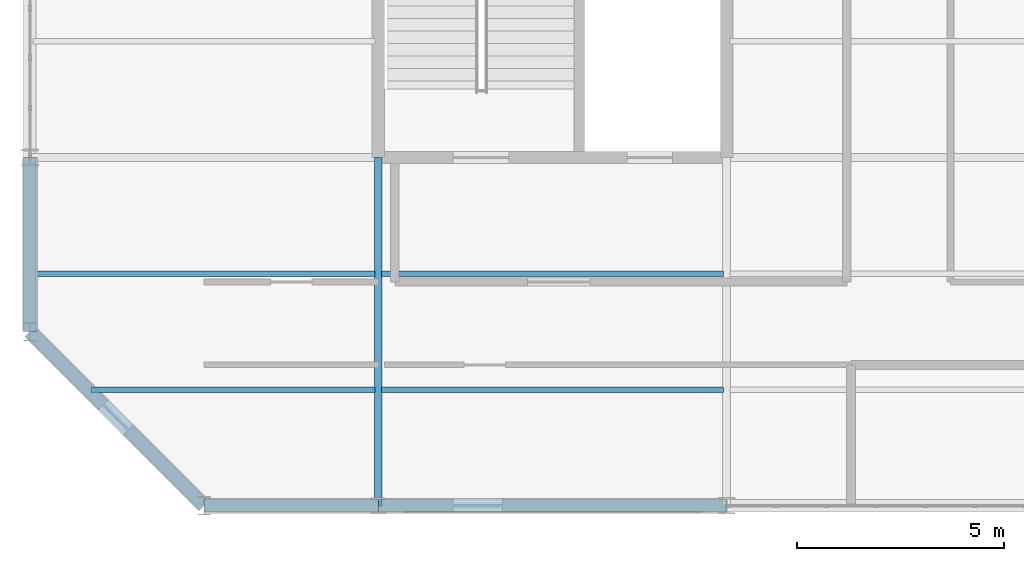
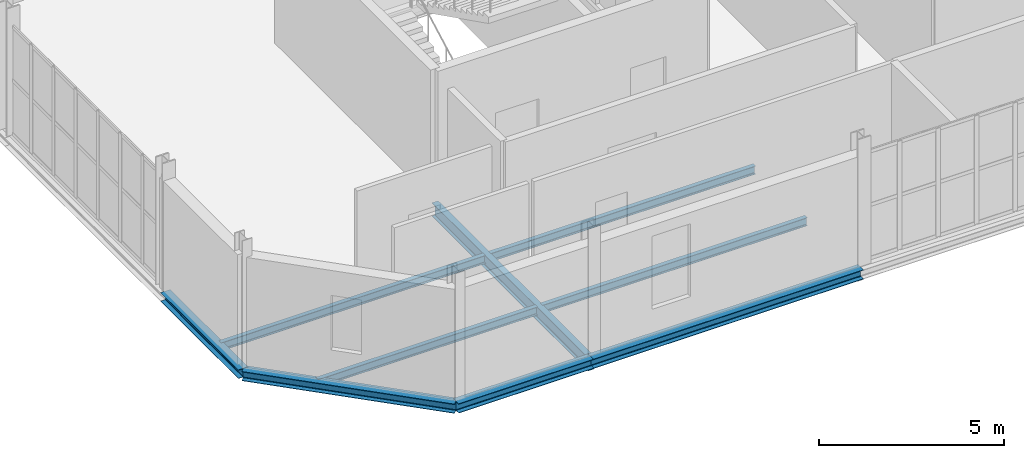
# One storey, part 22 of 184: 9 beams.
"""IFC4 building model written with IfcOpenShell, lengths in metres."""

from ifc_helpers import new_model, si_unit, direction, frame, origin, origin_2d, place, context, subcontext, project, spatial, i_section, extrude, material, material_profile, profile_set, type_object, element, save


model = new_model("IFC4")

# Units and contexts
model_context = context("Model", 3, precision=1e-05, world=origin(), true_north=direction((0.0, 1.0)))
body_context = subcontext(model_context, "Body", "Model", "MODEL_VIEW")
ifc_project = project(units=[si_unit("LENGTHUNIT", "METRE"), si_unit("AREAUNIT", "SQUARE_METRE"), si_unit("VOLUMEUNIT", "CUBIC_METRE"), si_unit("PLANEANGLEUNIT", "RADIAN"), si_unit("MASSUNIT", "GRAM", prefix="KILO")], contexts=[model_context])

# Site, building, storey
site_placement = place(None, origin())
site = spatial("IfcSite", under=ifc_project, at=site_placement, CompositionType="ELEMENT")
building_placement = place(site_placement, origin())
building = spatial("IfcBuilding", under=site, at=building_placement, Name="Qalvenar Corner Mobility Hub", CompositionType="ELEMENT")
storey_placement = place(building_placement, frame((0.0, 0.0, 9.0)))
storey = spatial("IfcBuildingStorey", under=building, at=storey_placement, Name="L02", CompositionType="ELEMENT", Elevation=9.0)

# Beams
ifc_material = material(Name="Steel S355", Category="steel")
ifc_material_profile_1 = material_profile(ifc_material, i_section(OverallWidth=0.18994140625, OverallDepth=0.449951171875, WebThickness=0.009521484375, FlangeThickness=0.0146484375, FilletRadius=0.02099609375, at=origin_2d()), Name="IPE450")
ifc_profile_set_1 = profile_set([ifc_material_profile_1], Name="Steel S355")
beam_type_1 = type_object("IfcBeamType", Name="BM-IPE450", PredefinedType="BEAM", material=ifc_profile_set_1)
beam_1_placement = place(storey_placement, frame((8.39990234375, 0.0, -0.405029296875), z_axis=(0.0, 1.0, 0.0), x_axis=(-1.0, 0.0, 0.0)))
element("IfcBeam", 1, at=beam_1_placement, inside=storey, type_object=beam_type_1, Name="Primary Steel Girder GY-1582", PredefinedType="BEAM", context=body_context, shape_type="SweptSolid", body=[
    extrude(i_section(OverallWidth=0.18994140625, OverallDepth=0.449951171875, WebThickness=0.009521484375, FlangeThickness=0.0146484375, FilletRadius=0.02099609375, at=origin_2d()), origin(), (0.0, 0.0, 1.0), 8.39990234375),
])
ifc_material_profile_2 = material_profile(ifc_material, i_section(OverallWidth=0.135009765625, OverallDepth=0.27001953125, WebThickness=0.006591796875, FlangeThickness=0.01025390625, FilletRadius=0.014892578125, at=origin_2d()), Name="IPE270")
ifc_profile_set_2 = profile_set([ifc_material_profile_2], Name="Steel S355")
beam_type_2 = type_object("IfcBeamType", Name="BM-JST270", PredefinedType="JOIST", material=ifc_profile_set_2)
beam_2_placement = place(storey_placement, frame((1.47802734375, 2.800048828125, -0.31494140625), z_axis=(1.0, 0.0, 0.0), x_axis=(0.0, 1.0, 0.0)))
element("IfcBeam", 2, at=beam_2_placement, inside=storey, type_object=beam_type_2, Name="Composite Floor Joist J-1613", PredefinedType="JOIST", context=body_context, shape_type="SweptSolid", body=[
    extrude(i_section(OverallWidth=0.135009765625, OverallDepth=0.27001953125, WebThickness=0.006591796875, FlangeThickness=0.01025390625, FilletRadius=0.014892578125, at=origin_2d()), origin(), (0.0, 0.0, 1.0), 6.843994140625),
])
beam_3_placement = place(storey_placement, frame((0.077880859375, 5.60009765625, -0.31494140625), z_axis=(1.0, 0.0, 0.0), x_axis=(0.0, 1.0, 0.0)))
element("IfcBeam", 3, at=beam_3_placement, inside=storey, type_object=beam_type_2, Name="Composite Floor Joist J-1614", PredefinedType="JOIST", context=body_context, shape_type="SweptSolid", body=[
    extrude(i_section(OverallWidth=0.135009765625, OverallDepth=0.27001953125, WebThickness=0.006591796875, FlangeThickness=0.01025390625, FilletRadius=0.014892578125, at=origin_2d()), origin(), (0.0, 0.0, 1.0), 8.244140625),
])
for number, where, z_axis, x_axis, name in (
    (4, (8.47802734375, 2.800048828125, -0.31494140625), (1.0, 0.0, 0.0), (0.0, 1.0, 0.0), "Composite Floor Joist J-1623"),
    (5, (8.47802734375, 5.60009765625, -0.31494140625), (1.0, 0.0, 0.0), (0.0, 1.0, 0.0), "Composite Floor Joist J-1624"),
):
    element("IfcBeam", number, at=place(storey_placement, frame(where, z_axis=z_axis, x_axis=x_axis)), inside=storey, type_object=beam_type_2, Name=name, PredefinedType="JOIST", context=body_context, shape_type="SweptSolid", body=[
        extrude(i_section(OverallWidth=0.135009765625, OverallDepth=0.27001953125, WebThickness=0.006591796875, FlangeThickness=0.01025390625, FilletRadius=0.014892578125, at=origin_2d()), origin(), (0.0, 0.0, 1.0), 8.243896484375),
    ])
ifc_material_profile_3 = material_profile(ifc_material, i_section(OverallWidth=0.300048828125, OverallDepth=0.2900390625, WebThickness=0.008544921875, FlangeThickness=0.013916015625, FilletRadius=0.027099609375, at=origin_2d()), Name="HEA300")
ifc_profile_set_3 = profile_set([ifc_material_profile_3], Name="Steel S355")
beam_type_3 = type_object("IfcBeamType", Name="BM-SPN300", PredefinedType="SPANDREL", material=ifc_profile_set_3)
beam_4_placement = place(storey_placement, frame((0.0, 4.199951171875, -0.324951171875), z_axis=(0.0, 1.0, 0.0), x_axis=(-1.0, 0.0, 0.0)))
element("IfcBeam", 6, at=beam_4_placement, inside=storey, type_object=beam_type_3, Name="Primary Steel Girder GY-1577", PredefinedType="SPANDREL", context=body_context, shape_type="SweptSolid", body=[
    extrude(i_section(OverallWidth=0.300048828125, OverallDepth=0.2900390625, WebThickness=0.008544921875, FlangeThickness=0.013916015625, FilletRadius=0.027099609375, at=origin_2d()), origin(), (0.0, 0.0, 1.0), 4.199951171875),
])
ifc_material_profile_4 = material_profile(ifc_material, i_section(OverallWidth=0.300048828125, OverallDepth=0.31005859375, WebThickness=0.009033203125, FlangeThickness=0.015380859375, FilletRadius=0.027099609375, at=origin_2d()), Name="HEA320")
ifc_profile_set_4 = profile_set([ifc_material_profile_4], Name="Steel S355")
beam_type_4 = type_object("IfcBeamType", Name="BM-SPN320", PredefinedType="SPANDREL", material=ifc_profile_set_4)
beam_5_placement = place(storey_placement, frame((4.199951171875, 0.0, -0.3349609375), z_axis=(1.0, 0.0, 0.0), x_axis=(0.0, 1.0, 0.0)))
element("IfcBeam", 7, at=beam_5_placement, inside=storey, type_object=beam_type_4, Name="Primary Steel Girder GX-1541", PredefinedType="SPANDREL", context=body_context, shape_type="SweptSolid", body=[
    extrude(i_section(OverallWidth=0.300048828125, OverallDepth=0.31005859375, WebThickness=0.009033203125, FlangeThickness=0.015380859375, FilletRadius=0.027099609375, at=origin_2d()), origin(), (0.0, 0.0, 1.0), 4.199951171875),
])
beam_6_placement = place(storey_placement, frame((8.39990234375, 0.0, -0.3349609375), z_axis=(1.0, 0.0, 0.0), x_axis=(0.0, 1.0, 0.0)))
element("IfcBeam", 8, at=beam_6_placement, inside=storey, type_object=beam_type_4, Name="Primary Steel Girder GX-1542", PredefinedType="SPANDREL", context=body_context, shape_type="SweptSolid", body=[
    extrude(i_section(OverallWidth=0.300048828125, OverallDepth=0.31005859375, WebThickness=0.009033203125, FlangeThickness=0.015380859375, FilletRadius=0.027099609375, at=origin_2d()), origin(), (0.0, 0.0, 1.0), 8.400146484375),
])
beam_7_placement = place(storey_placement, frame((4.199951171875, 0.0, -0.3349609375), z_axis=(-0.707106781187, 0.707106781187, 0.0), x_axis=(-0.707106781187, -0.707106781187, 0.0)))
element("IfcBeam", 9, at=beam_7_placement, inside=storey, type_object=beam_type_4, Name="Corner Splay Spandrel Girder GSPL-1612", PredefinedType="SPANDREL", context=body_context, shape_type="SweptSolid", body=[
    extrude(i_section(OverallWidth=0.300048828125, OverallDepth=0.31005859375, WebThickness=0.009033203125, FlangeThickness=0.015380859375, FilletRadius=0.027099609375, at=origin_2d()), origin(), (0.0, 0.0, 1.0), 5.939697265625),
])

save(model, "model.ifc")
